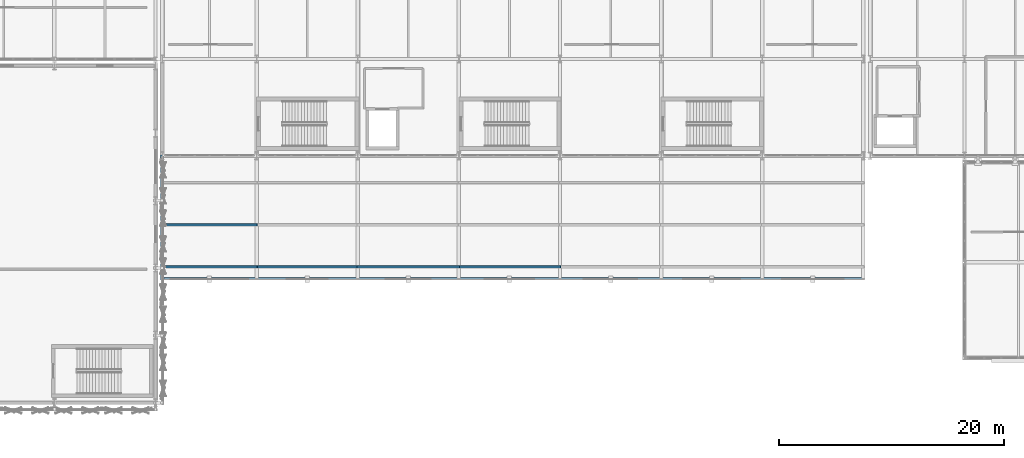
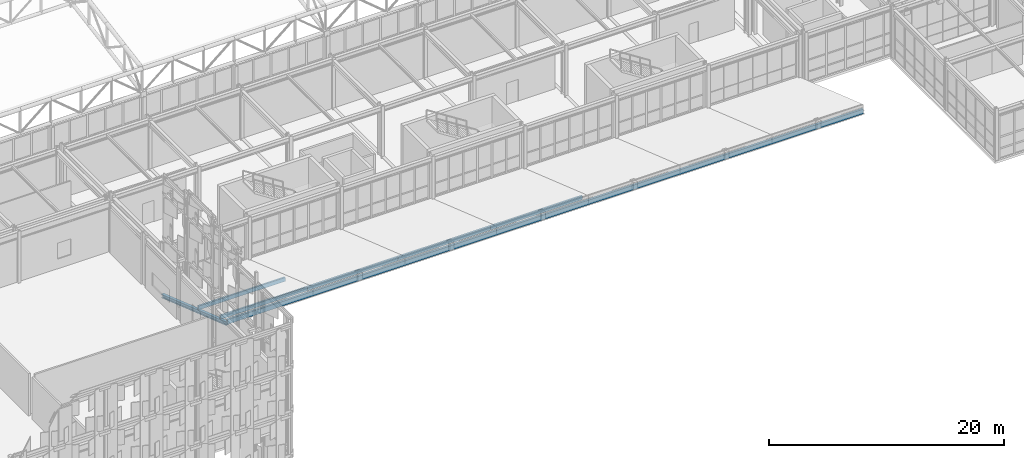
# One storey, part 48 of 239: 6 members, 1 beam.
"""IFC4 building model written with IfcOpenShell, lengths in metres."""

from ifc_helpers import new_model, si_unit, direction, frame, origin, origin_2d, place, context, subcontext, project, spatial, rectangle, i_section, extrude, material, material_profile, profile_set, type_object, element, save


model = new_model("IFC4")

# Units and contexts
model_context = context("Model", 3, precision=1e-05, world=origin(), true_north=direction((0.0, 1.0)))
body_context = subcontext(model_context, "Body", "Model", "MODEL_VIEW")
ifc_project = project(units=[si_unit("LENGTHUNIT", "METRE"), si_unit("AREAUNIT", "SQUARE_METRE"), si_unit("VOLUMEUNIT", "CUBIC_METRE"), si_unit("PLANEANGLEUNIT", "RADIAN"), si_unit("MASSUNIT", "GRAM", prefix="KILO")], contexts=[model_context])

# Site, building, storey
site_placement = place(None, origin())
site = spatial("IfcSite", under=ifc_project, at=site_placement, CompositionType="ELEMENT")
building_placement = place(site_placement, origin())
building = spatial("IfcBuilding", under=site, at=building_placement, Name="Kaldris Quays Convention Centre", CompositionType="ELEMENT")
storey_placement = place(building_placement, frame((0.0, 0.0, 11.39990234375)))
storey = spatial("IfcBuildingStorey", under=building, at=storey_placement, Name="L02", CompositionType="ELEMENT", Elevation=11.39990234375)

# Beam
ifc_material_1 = material(Name="Glulam GL28h", Category="wood")
ifc_material_profile_1 = material_profile(ifc_material_1, rectangle(XDim=0.199951171875, YDim=0.47998046875, at=origin_2d()), Name="GL 200x480")
ifc_profile_set_1 = profile_set([ifc_material_profile_1], Name="Glulam GL28h")
beam_type = type_object("IfcBeamType", Name="STRUCTURAL BEAM WB01", PredefinedType="BEAM", material=ifc_profile_set_1)
beam_placement = place(storey_placement, frame((83.60009765625, 27.050048828125, 3.9375), z_axis=(1.0, 0.0, 0.0), x_axis=(0.0, 1.0, 0.0)))
element("IfcBeam", 1, at=beam_placement, inside=storey, type_object=beam_type, Name="WR-SOUTH-ENTRY Glulam Wing Eave Beam", PredefinedType="BEAM", context=body_context, shape_type="SweptSolid", body=[
    extrude(rectangle(XDim=0.199951171875, YDim=0.47998046875, at=origin_2d()), origin(), (0.0, 0.0, 1.0), 62.39990234375),
])

# Members
ifc_material_profile_2 = material_profile(ifc_material_1, rectangle(XDim=0.159912109375, YDim=0.39990234375, at=origin_2d()), Name="GL 160x400")
ifc_profile_set_2 = profile_set([ifc_material_profile_2], Name="Glulam GL28h")
member_type_1 = type_object("IfcMemberType", Name="STRUCTURAL MEMBER PR01", PredefinedType="PURLIN", material=ifc_profile_set_2)
for number, where, z_axis, x_axis, name in (
    (2, (83.550048828125, 31.840087890625, 2.489013671875), (1.0, 0.0, 0.0), (0.0, 1.0, 0.0), "WR-SOUTH-ENTRY Glulam Wing Purlin 1"),
    (3, (83.550048828125, 28.10009765625, 3.776611328125), (1.0, 0.0, 0.0), (0.0, 1.0, 0.0), "WR-SOUTH-ENTRY Glulam Wing Purlin 1"),
):
    element("IfcMember", number, at=place(storey_placement, frame(where, z_axis=z_axis, x_axis=x_axis)), inside=storey, type_object=member_type_1, Name=name, PredefinedType="PURLIN", context=body_context, shape_type="SweptSolid", body=[
        extrude(rectangle(XDim=0.159912109375, YDim=0.39990234375, at=origin_2d()), origin(), (0.0, 0.0, 1.0), 8.5),
    ])
for number, where, z_axis, x_axis, name in (
    (4, (91.949951171875, 28.10009765625, 3.776611328125), (1.0, 0.0, 0.0), (0.0, 1.0, 0.0), "WR-SOUTH-ENTRY Glulam Wing Purlin 2"),
    (5, (100.949951171875, 28.10009765625, 3.776611328125), (1.0, 0.0, 0.0), (0.0, 1.0, 0.0), "WR-SOUTH-ENTRY Glulam Wing Purlin 3"),
    (6, (109.949951171875, 28.10009765625, 3.776611328125), (1.0, 0.0, 0.0), (0.0, 1.0, 0.0), "WR-SOUTH-ENTRY Glulam Wing Purlin 4"),
):
    element("IfcMember", number, at=place(storey_placement, frame(where, z_axis=z_axis, x_axis=x_axis)), inside=storey, type_object=member_type_1, Name=name, PredefinedType="PURLIN", context=body_context, shape_type="SweptSolid", body=[
        extrude(rectangle(XDim=0.159912109375, YDim=0.39990234375, at=origin_2d()), origin(), (0.0, 0.0, 1.0), 9.10009765625),
    ])
ifc_material_2 = material(Name="Steel S355J2", Category="steel")
ifc_material_profile_3 = material_profile(ifc_material_2, i_section(OverallWidth=0.300048828125, OverallDepth=0.35009765625, WebThickness=0.010009765625, FlangeThickness=0.017578125, FilletRadius=0.027099609375, at=origin_2d()), Name="HEA 360")
ifc_profile_set_3 = profile_set([ifc_material_profile_3], Name="Steel S355J2")
member_type_2 = type_object("IfcMemberType", Name="STRUCTURAL MEMBER WRF1", PredefinedType="RAFTER", material=ifc_profile_set_3)
member_placement = place(storey_placement, frame((83.60009765625, 38.0, -0.000244140625), z_axis=(0.0, -0.945518736739, 0.325567686474), x_axis=(1.0, 0.0, 0.0)))
element("IfcMember", 7, at=member_placement, inside=storey, type_object=member_type_2, Name="WR-SOUTH-ENTRY Wing Cantilever Rafter 1", PredefinedType="RAFTER", context=body_context, shape_type="SweptSolid", body=[
    extrude(i_section(OverallWidth=0.300048828125, OverallDepth=0.35009765625, WebThickness=0.010009765625, FlangeThickness=0.017578125, FilletRadius=0.027099609375, at=origin_2d()), origin(), (0.0, 0.0, 1.0), 11.6337890625),
])

save(model, "model.ifc")
